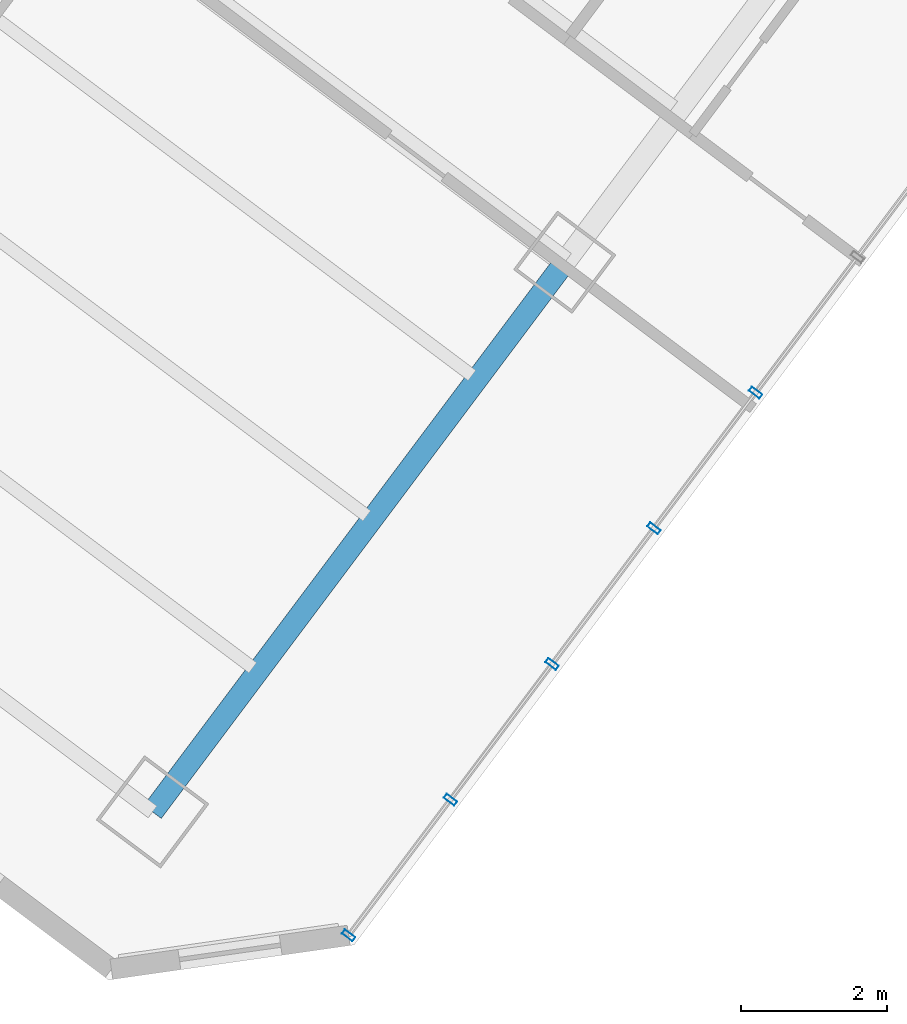
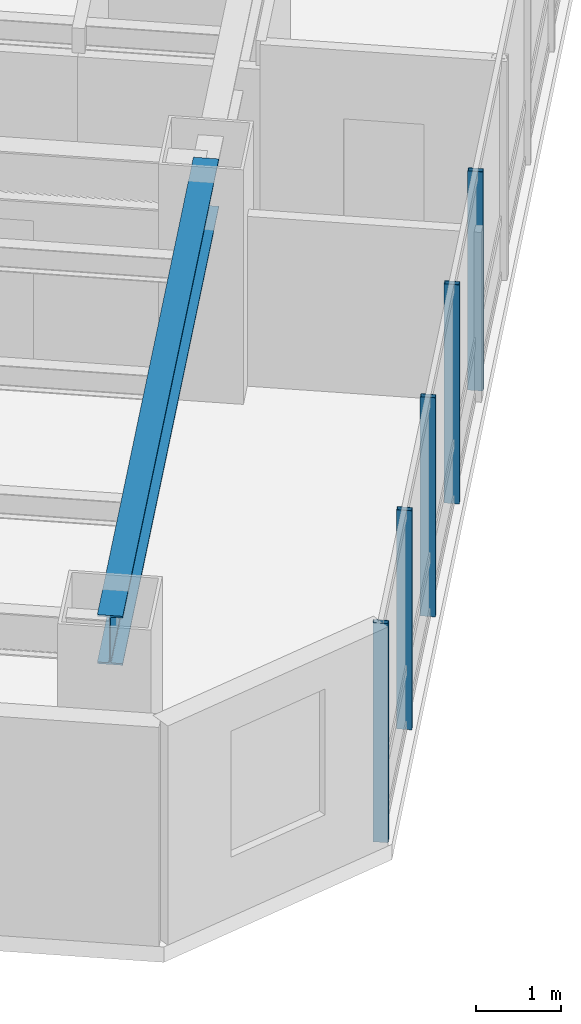
# One storey, part 8 of 33: 5 members, 1 beam, 1 element without a shape of its own.
"""IFC4 building model written with IfcOpenShell, lengths in metres."""

from ifc_helpers import new_model, si_unit, direction, frame, origin, origin_2d, place, context, subcontext, project, spatial, hollow_rectangle, i_section, extrude, material, layer, layer_set, material_profile, profile_set, type_object, element, aggregate, save


model = new_model("IFC4")

# Units and contexts
model_context = context("Model", 3, precision=1e-05, world=origin(), true_north=direction((0.0, 1.0)))
body_context = subcontext(model_context, "Body", "Model", "MODEL_VIEW")
ifc_project = project(units=[si_unit("LENGTHUNIT", "METRE"), si_unit("AREAUNIT", "SQUARE_METRE"), si_unit("VOLUMEUNIT", "CUBIC_METRE"), si_unit("PLANEANGLEUNIT", "RADIAN"), si_unit("MASSUNIT", "GRAM", prefix="KILO")], contexts=[model_context])

# Site, building, storey
site_placement = place(None, origin())
site = spatial("IfcSite", under=ifc_project, at=site_placement, CompositionType="ELEMENT")
building_placement = place(site_placement, origin())
building = spatial("IfcBuilding", under=site, at=building_placement, Name="Hatsunagi Terrace Concourse", CompositionType="ELEMENT")
storey_placement = place(building_placement, frame((0.0, 0.0, 43.300048828125)))
storey = spatial("IfcBuildingStorey", under=building, at=storey_placement, Name="L10", CompositionType="ELEMENT", Elevation=43.300048828125)

# Curtain wall, members
ifc_material_1 = material(Name="Anodised Aluminium Alloy 6063-T5", Category="aluminium")
ifc_layer = layer(ifc_material_1, 0.199951171875)
ifc_layer_set = layer_set([ifc_layer], Name="HotelFacade_CW02")
curtain_wall_type = type_object("IfcCurtainWallType", Name="HotelFacade_CW02", PredefinedType="NOTDEFINED", material=ifc_layer_set)
curtain_wall_placement = place(storey_placement, origin())
curtain_wall = element("IfcCurtainWall", 1, at=curtain_wall_placement, inside=storey, type_object=curtain_wall_type, Name="Unitised Curtain Wall CW-02 CW-L10-03", PredefinedType="NOTDEFINED")
ifc_material_2 = material(Name="Anodised Aluminium Alloy 6063-T5", Category="aluminium")
ifc_material_profile_1 = material_profile(ifc_material_2, hollow_rectangle(XDim=0.070068359375, YDim=0.179931640625, WallThickness=0.00390625, at=origin_2d()), Name="ALU-MUL-180x70x4")
ifc_profile_set_1 = profile_set([ifc_material_profile_1], Name="Anodised Aluminium Alloy 6063-T5")
member_type = type_object("IfcMemberType", Name="CurtainWallMullion_180x70", PredefinedType="MULLION", material=ifc_profile_set_1)
member_1_placement = place(storey_placement, frame((62.132080078125, 10.3759765625, 0.0), z_axis=(0.0, 0.0, 1.0), x_axis=(-0.599969314634, -0.800023013105, 0.0)))
member_1 = element("IfcMember", 2, at=member_1_placement, type_object=member_type, Name="Curtain Wall Mullion MUL-02", PredefinedType="MULLION", context=body_context, shape_type="SweptSolid", body=[
    extrude(hollow_rectangle(XDim=0.070068359375, YDim=0.179931640625, WallThickness=0.00390625, at=origin_2d()), origin(), (0.0, 0.0, 1.0), 3.1298828125),
])
member_2_placement = place(storey_placement, frame((60.739990234375, 8.51904296875, 0.0), z_axis=(0.0, 0.0, 1.0), x_axis=(-0.599969314634, -0.800023013105, 0.0)))
member_2 = element("IfcMember", 3, at=member_2_placement, type_object=member_type, Name="Curtain Wall Mullion MUL-02", PredefinedType="MULLION", context=body_context, shape_type="SweptSolid", body=[
    extrude(hollow_rectangle(XDim=0.070068359375, YDim=0.179931640625, WallThickness=0.00390625, at=origin_2d()), origin(), (0.0, 0.0, 1.0), 3.1298828125),
])
member_3_placement = place(storey_placement, frame((59.346923828125, 6.6630859375, 0.0), z_axis=(0.0, 0.0, 1.0), x_axis=(-0.599969314634, -0.800023013105, 0.0)))
member_3 = element("IfcMember", 4, at=member_3_placement, type_object=member_type, Name="Curtain Wall Mullion MUL-02", PredefinedType="MULLION", context=body_context, shape_type="SweptSolid", body=[
    extrude(hollow_rectangle(XDim=0.070068359375, YDim=0.179931640625, WallThickness=0.00390625, at=origin_2d()), origin(), (0.0, 0.0, 1.0), 3.1298828125),
])
member_4_placement = place(storey_placement, frame((57.955078125, 4.805908203125, 0.0), z_axis=(0.0, 0.0, 1.0), x_axis=(-0.599969314634, -0.800023013105, 0.0)))
member_4 = element("IfcMember", 5, at=member_4_placement, type_object=member_type, Name="Curtain Wall Mullion MUL-02", PredefinedType="MULLION", context=body_context, shape_type="SweptSolid", body=[
    extrude(hollow_rectangle(XDim=0.070068359375, YDim=0.179931640625, WallThickness=0.00390625, at=origin_2d()), origin(), (0.0, 0.0, 1.0), 3.1298828125),
])
member_5_placement = place(storey_placement, frame((56.56298828125, 2.949951171875, 0.0), z_axis=(0.0, 0.0, 1.0), x_axis=(-0.599969314634, -0.800023013105, 0.0)))
member_5 = element("IfcMember", 6, at=member_5_placement, type_object=member_type, Name="Curtain Wall Mullion MUL-02", PredefinedType="MULLION", context=body_context, shape_type="SweptSolid", body=[
    extrude(hollow_rectangle(XDim=0.070068359375, YDim=0.179931640625, WallThickness=0.00390625, at=origin_2d()), origin(), (0.0, 0.0, 1.0), 3.1298828125),
])
aggregate(curtain_wall, [member_1, member_2, member_3, member_4, member_5])

# Beam
ifc_material_3 = material(Name="Steel SN490B", Category="steel")
ifc_material_profile_2 = material_profile(ifc_material_3, i_section(OverallWidth=0.300048828125, OverallDepth=0.699951171875, WebThickness=0.012939453125, FlangeThickness=0.02392578125, FilletRadius=0.02197265625, at=origin_2d()), Name="H-700x300x13x24")
ifc_profile_set_2 = profile_set([ifc_material_profile_2], Name="Steel SN490B")
beam_type = type_object("IfcBeamType", Name="HotelFloorGirder_H_700x300", PredefinedType="BEAM", material=ifc_profile_set_2)
beam_placement = place(storey_placement, frame((53.8798828125, 4.639892578125, 2.780029296875), z_axis=(0.600008311051, 0.799993766644, 0.0), x_axis=(-0.799993766644, 0.600008311051, 0.0)))
element("IfcBeam", 7, at=beam_placement, inside=storey, type_object=beam_type, Name="Beam G-04 BM-L10-SET-3A", PredefinedType="BEAM", context=body_context, shape_type="SweptSolid", body=[
    extrude(i_section(OverallWidth=0.300048828125, OverallDepth=0.699951171875, WebThickness=0.012939453125, FlangeThickness=0.02392578125, FilletRadius=0.02197265625, at=origin_2d()), origin(), (0.0, 0.0, 1.0), 9.400146484375),
])

save(model, "model.ifc")
